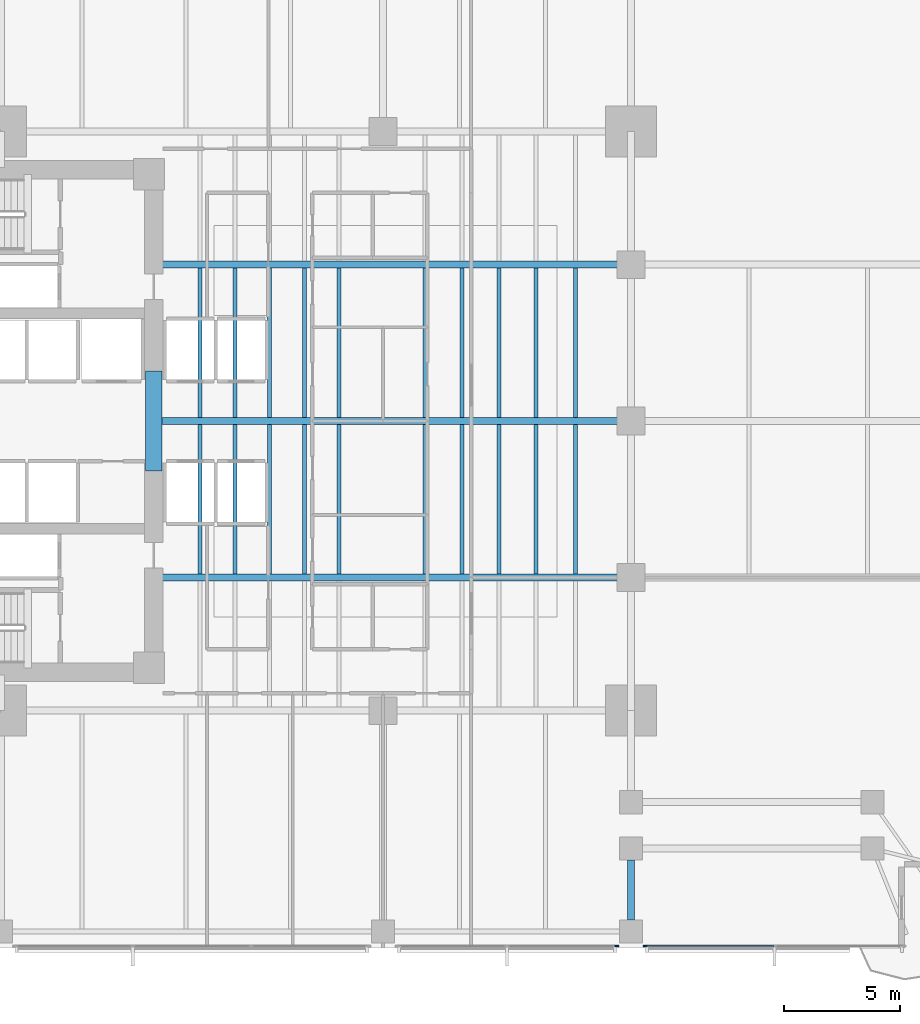
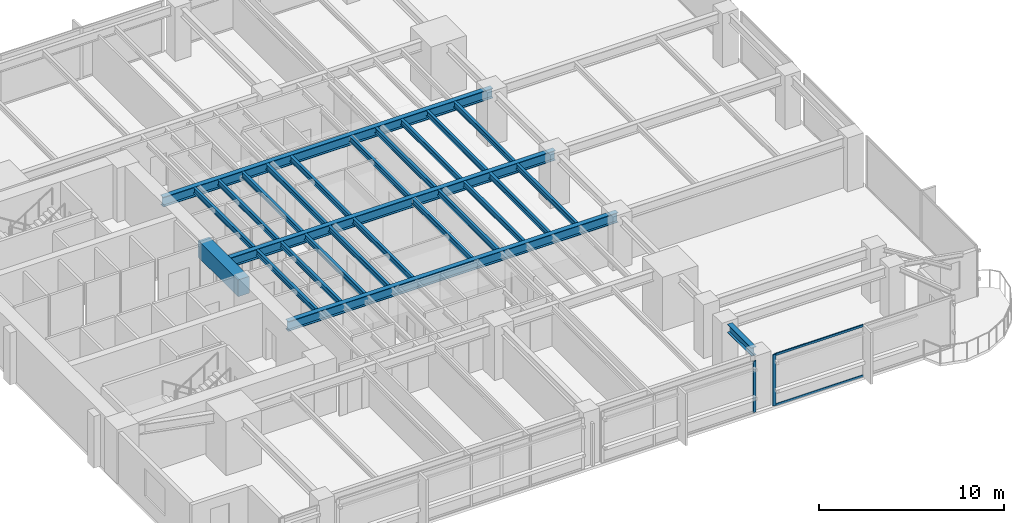
# One storey, part 3 of 15: 25 beams, 4 members, 2 elements without a shape of their own.
"""IFC4 building model written with IfcOpenShell, lengths in metres."""

from ifc_helpers import new_model, si_unit, direction, frame, origin, origin_2d, place, context, subcontext, project, spatial, rectangle, i_section, extrude, material, layer, layer_set, material_profile, profile_set, type_object, element, aggregate, save


model = new_model("IFC4")

# Units and contexts
model_context = context("Model", 3, precision=1e-05, world=origin(), true_north=direction((0.0, 1.0)))
body_context = subcontext(model_context, "Body", "Model", "MODEL_VIEW")
ifc_project = project(units=[si_unit("LENGTHUNIT", "METRE"), si_unit("AREAUNIT", "SQUARE_METRE"), si_unit("VOLUMEUNIT", "CUBIC_METRE"), si_unit("PLANEANGLEUNIT", "RADIAN"), si_unit("MASSUNIT", "GRAM", prefix="KILO")], contexts=[model_context])

# Site, building, storey
site_placement = place(None, origin())
site = spatial("IfcSite", under=ifc_project, at=site_placement, CompositionType="ELEMENT")
building_placement = place(site_placement, origin())
building = spatial("IfcBuilding", under=site, at=building_placement, Name="Kinhvarn Gate Tower", CompositionType="ELEMENT")
storey_placement = place(building_placement, frame((0.0, 0.0, 85.949951171875)))
storey = spatial("IfcBuildingStorey", under=building, at=storey_placement, Name="L22", CompositionType="ELEMENT", Elevation=85.949951171875)

# Beam
ifc_material_1 = material(Name="Concrete C70/85", Category="concrete")
ifc_material_profile_1 = material_profile(ifc_material_1, rectangle(XDim=0.699951171875, YDim=1.10009765625, at=origin_2d()), Name="RC 700x1100")
ifc_profile_set_1 = profile_set([ifc_material_profile_1], Name="Concrete C70/85")
beam_type_1 = type_object("IfcBeamType", Name="BM-CB-1100", PredefinedType="LINTEL", material=ifc_profile_set_1)
beam_1_placement = place(storey_placement, frame((17.60009765625, 23.10009765625, 2.820068359375), z_axis=(0.0, 1.0, 0.0), x_axis=(-1.0, 0.0, 0.0)))
element("IfcBeam", 1, at=beam_1_placement, inside=storey, type_object=beam_type_1, Name="Core East Portal Coupling Beam L22", PredefinedType="LINTEL", context=body_context, shape_type="SweptSolid", body=[
    extrude(rectangle(XDim=0.699951171875, YDim=1.10009765625, at=origin_2d()), origin(), (0.0, 0.0, 1.0), 4.2998046875),
])

# Curtain wall, member
ifc_material_2 = material(Name="Anodised aluminium AW-6063", Category="aluminium")
ifc_layer = layer(ifc_material_2, 0.179931640625)
ifc_layer_set = layer_set([ifc_layer], Name="Anodised aluminium AW-6063")
curtain_wall_type = type_object("IfcCurtainWallType", Name="CW-SYS-2", PredefinedType="NOTDEFINED", material=ifc_layer_set)
curtain_wall_1_placement = place(storey_placement, origin())
curtain_wall_1 = element("IfcCurtainWall", 2, at=curtain_wall_1_placement, inside=storey, type_object=curtain_wall_type, Name="Curtain Wall CW2 (L22)", PredefinedType="NOTDEFINED")
ifc_material_profile_2 = material_profile(ifc_material_2, rectangle(XDim=0.070068359375, YDim=0.179931640625, at=origin_2d()), Name="ALU 70x180")
ifc_profile_set_2 = profile_set([ifc_material_profile_2], Name="Anodised aluminium AW-6063")
member_type_1 = type_object("IfcMemberType", Name="CW-MUL-180", PredefinedType="MULLION", material=ifc_profile_set_2)
member_1_placement = place(storey_placement, frame((37.5849609375, 2.590087890625, 0.0), z_axis=(0.0, 0.0, 1.0), x_axis=(0.0, 1.0, 0.0)))
member_1 = element("IfcMember", 3, at=member_1_placement, type_object=member_type_1, Name="CW2 mullion 3", PredefinedType="MULLION", context=body_context, shape_type="SweptSolid", body=[
    extrude(rectangle(XDim=0.070068359375, YDim=0.179931640625, at=origin_2d()), origin(), (0.0, 0.0, 1.0), 3.3701171875),
])
aggregate(curtain_wall_1, [member_1])

# Curtain wall, members
curtain_wall_2_placement = place(storey_placement, origin())
curtain_wall_2 = element("IfcCurtainWall", 4, at=curtain_wall_2_placement, inside=storey, type_object=curtain_wall_type, Name="Curtain Wall CW2 (L22)", PredefinedType="NOTDEFINED")
member_2_placement = place(storey_placement, frame((38.81494140625, 2.590087890625, 0.0), z_axis=(0.0, 0.0, 1.0), x_axis=(0.0, 1.0, 0.0)))
member_2 = element("IfcMember", 5, at=member_2_placement, type_object=member_type_1, Name="CW2 mullion 1", PredefinedType="MULLION", context=body_context, shape_type="SweptSolid", body=[
    extrude(rectangle(XDim=0.070068359375, YDim=0.179931640625, at=origin_2d()), origin(), (0.0, 0.0, 1.0), 3.3701171875),
])
ifc_material_profile_3 = material_profile(ifc_material_2, rectangle(XDim=0.070068359375, YDim=0.139892578125, at=origin_2d()), Name="ALU 70x140")
ifc_profile_set_3 = profile_set([ifc_material_profile_3], Name="Anodised aluminium AW-6063")
member_type_2 = type_object("IfcMemberType", Name="CW-TRN-140", PredefinedType="USERDEFINED", material=ifc_profile_set_3)
member_3_placement = place(storey_placement, frame((38.85009765625, 2.590087890625, 0.03515625), z_axis=(1.0, 0.0, 0.0), x_axis=(0.0, 1.0, 0.0)))
member_3 = element("IfcMember", 6, at=member_3_placement, type_object=member_type_2, Name="CW2 transom 1.1", ObjectType="TRANSOM", PredefinedType="USERDEFINED", context=body_context, shape_type="SweptSolid", body=[
    extrude(rectangle(XDim=0.070068359375, YDim=0.139892578125, at=origin_2d()), origin(), (0.0, 0.0, 1.0), 5.5048828125),
])
member_4_placement = place(storey_placement, frame((38.85009765625, 2.590087890625, 3.3349609375), z_axis=(1.0, 0.0, 0.0), x_axis=(0.0, 1.0, 0.0)))
member_4 = element("IfcMember", 7, at=member_4_placement, type_object=member_type_2, Name="CW2 transom 1.2", ObjectType="TRANSOM", PredefinedType="USERDEFINED", context=body_context, shape_type="SweptSolid", body=[
    extrude(rectangle(XDim=0.070068359375, YDim=0.139892578125, at=origin_2d()), origin(), (0.0, 0.0, 1.0), 5.5048828125),
])
aggregate(curtain_wall_2, [member_2, member_3, member_4])

# Beams
ifc_material_3 = material(Name="Steel S355", Category="steel")
ifc_material_profile_4 = material_profile(ifc_material_3, i_section(OverallWidth=0.300048828125, OverallDepth=0.550048828125, WebThickness=0.014892578125, FlangeThickness=0.029052734375, at=origin_2d()), Name="HEB 550")
ifc_profile_set_4 = profile_set([ifc_material_profile_4], Name="Steel S355")
beam_type_2 = type_object("IfcBeamType", Name="STL-HEB550", PredefinedType="BEAM", material=ifc_profile_set_4)
beam_2_placement = place(storey_placement, frame((38.199951171875, 3.705078125, 3.094970703125), z_axis=(0.0, 1.0, 0.0), x_axis=(-1.0, 0.0, 0.0)))
element("IfcBeam", 8, at=beam_2_placement, inside=storey, type_object=beam_type_2, Name="Floor Beam PG-15 (L22 MCE-S-A0)", PredefinedType="BEAM", context=body_context, shape_type="SweptSolid", body=[
    extrude(i_section(OverallWidth=0.300048828125, OverallDepth=0.550048828125, WebThickness=0.014892578125, FlangeThickness=0.029052734375, at=origin_2d()), origin(), (0.0, 0.0, 1.0), 2.60986328125),
])
ifc_material_profile_5 = material_profile(ifc_material_3, i_section(OverallWidth=0.300048828125, OverallDepth=0.64990234375, WebThickness=0.01611328125, FlangeThickness=0.031005859375, at=origin_2d()), Name="HEB 650")
ifc_profile_set_5 = profile_set([ifc_material_profile_5], Name="Steel S355")
beam_type_3 = type_object("IfcBeamType", Name="STL-HEB650", PredefinedType="BEAM", material=ifc_profile_set_5)
beam_3_placement = place(storey_placement, frame((17.64990234375, 18.5, 3.045166015625), z_axis=(1.0, 0.0, 0.0), x_axis=(0.0, 1.0, 0.0)))
element("IfcBeam", 9, at=beam_3_placement, inside=storey, type_object=beam_type_3, Name="Floor Beam PG-17 (L22 EW1-Y18)", PredefinedType="BEAM", context=body_context, shape_type="SweptSolid", body=[
    extrude(i_section(OverallWidth=0.300048828125, OverallDepth=0.64990234375, WebThickness=0.01611328125, FlangeThickness=0.031005859375, at=origin_2d()), origin(), (0.0, 0.0, 1.0), 20.550048828125),
])
beam_4_placement = place(storey_placement, frame((17.949951171875, 25.25, 3.045166015625), z_axis=(1.0, 0.0, 0.0), x_axis=(0.0, 1.0, 0.0)))
element("IfcBeam", 10, at=beam_4_placement, inside=storey, type_object=beam_type_3, Name="Floor Beam PG-17 (L22 EW1-Y25)", PredefinedType="BEAM", context=body_context, shape_type="SweptSolid", body=[
    extrude(i_section(OverallWidth=0.300048828125, OverallDepth=0.64990234375, WebThickness=0.01611328125, FlangeThickness=0.031005859375, at=origin_2d()), origin(), (0.0, 0.0, 1.0), 20.25),
])
beam_5_placement = place(storey_placement, frame((17.64990234375, 32.0, 3.045166015625), z_axis=(1.0, 0.0, 0.0), x_axis=(0.0, 1.0, 0.0)))
element("IfcBeam", 11, at=beam_5_placement, inside=storey, type_object=beam_type_3, Name="Floor Beam PG-17 (L22 EW1-Y32)", PredefinedType="BEAM", context=body_context, shape_type="SweptSolid", body=[
    extrude(i_section(OverallWidth=0.300048828125, OverallDepth=0.64990234375, WebThickness=0.01611328125, FlangeThickness=0.031005859375, at=origin_2d()), origin(), (0.0, 0.0, 1.0), 20.550048828125),
])
ifc_material_profile_6 = material_profile(ifc_material_3, i_section(OverallWidth=0.169921875, OverallDepth=0.360107421875, WebThickness=0.008056640625, FlangeThickness=0.0126953125, at=origin_2d()), Name="IPE 360")
ifc_profile_set_6 = profile_set([ifc_material_profile_6], Name="Steel S355")
beam_type_4 = type_object("IfcBeamType", Name="STL-IPE360", PredefinedType="JOIST", material=ifc_profile_set_6)
for number, where, z_axis, x_axis, name in (
    (12, (19.60009765625, 18.64990234375, 3.18994140625), (0.0, 1.0, 0.0), (-1.0, 0.0, 0.0), "Floor Joist SB-04 (L22 JC-X196-1)"),
    (13, (19.60009765625, 25.39990234375, 3.18994140625), (0.0, 1.0, 0.0), (-1.0, 0.0, 0.0), "Floor Joist SB-04 (L22 JC-X196-2)"),
    (14, (21.10009765625, 18.64990234375, 3.18994140625), (0.0, 1.0, 0.0), (-1.0, 0.0, 0.0), "Floor Joist SB-04 (L22 JC-X211-1)"),
    (15, (21.10009765625, 25.39990234375, 3.18994140625), (0.0, 1.0, 0.0), (-1.0, 0.0, 0.0), "Floor Joist SB-04 (L22 JC-X211-2)"),
    (16, (22.60009765625, 18.64990234375, 3.18994140625), (0.0, 1.0, 0.0), (-1.0, 0.0, 0.0), "Floor Joist SB-04 (L22 JC-X226-1)"),
    (17, (22.60009765625, 25.39990234375, 3.18994140625), (0.0, 1.0, 0.0), (-1.0, 0.0, 0.0), "Floor Joist SB-04 (L22 JC-X226-2)"),
    (18, (24.10009765625, 18.64990234375, 3.18994140625), (0.0, 1.0, 0.0), (-1.0, 0.0, 0.0), "Floor Joist SB-04 (L22 JC-X241-1)"),
    (19, (24.10009765625, 25.39990234375, 3.18994140625), (0.0, 1.0, 0.0), (-1.0, 0.0, 0.0), "Floor Joist SB-04 (L22 JC-X241-2)"),
    (20, (25.60009765625, 18.64990234375, 3.18994140625), (0.0, 1.0, 0.0), (-1.0, 0.0, 0.0), "Floor Joist SB-04 (L22 JC-X256-1)"),
    (21, (25.60009765625, 25.39990234375, 3.18994140625), (0.0, 1.0, 0.0), (-1.0, 0.0, 0.0), "Floor Joist SB-04 (L22 JC-X256-2)"),
    (22, (29.300048828125, 18.64990234375, 3.18994140625), (0.0, 1.0, 0.0), (-1.0, 0.0, 0.0), "Floor Joist SB-04 (L22 JC-X293-1)"),
    (23, (29.300048828125, 25.39990234375, 3.18994140625), (0.0, 1.0, 0.0), (-1.0, 0.0, 0.0), "Floor Joist SB-04 (L22 JC-X293-2)"),
    (24, (30.89990234375, 18.64990234375, 3.18994140625), (0.0, 1.0, 0.0), (-1.0, 0.0, 0.0), "Floor Joist SB-04 (L22 JC-X309-1)"),
    (25, (30.89990234375, 25.39990234375, 3.18994140625), (0.0, 1.0, 0.0), (-1.0, 0.0, 0.0), "Floor Joist SB-04 (L22 JC-X309-2)"),
    (26, (32.5, 18.64990234375, 3.18994140625), (0.0, 1.0, 0.0), (-1.0, 0.0, 0.0), "Floor Joist SB-04 (L22 JC-X325-1)"),
    (27, (32.5, 25.39990234375, 3.18994140625), (0.0, 1.0, 0.0), (-1.0, 0.0, 0.0), "Floor Joist SB-04 (L22 JC-X325-2)"),
    (28, (34.10009765625, 18.64990234375, 3.18994140625), (0.0, 1.0, 0.0), (-1.0, 0.0, 0.0), "Floor Joist SB-04 (L22 JC-X341-1)"),
    (29, (34.10009765625, 25.39990234375, 3.18994140625), (0.0, 1.0, 0.0), (-1.0, 0.0, 0.0), "Floor Joist SB-04 (L22 JC-X341-2)"),
    (30, (35.800048828125, 18.64990234375, 3.18994140625), (0.0, 1.0, 0.0), (-1.0, 0.0, 0.0), "Floor Joist SB-04 (L22 JC-X358-1)"),
    (31, (35.800048828125, 25.39990234375, 3.18994140625), (0.0, 1.0, 0.0), (-1.0, 0.0, 0.0), "Floor Joist SB-04 (L22 JC-X358-2)"),
):
    element("IfcBeam", number, at=place(storey_placement, frame(where, z_axis=z_axis, x_axis=x_axis)), inside=storey, type_object=beam_type_4, Name=name, PredefinedType="JOIST", context=body_context, shape_type="SweptSolid", body=[
        extrude(i_section(OverallWidth=0.169921875, OverallDepth=0.360107421875, WebThickness=0.008056640625, FlangeThickness=0.0126953125, at=origin_2d()), origin(), (0.0, 0.0, 1.0), 6.4501953125),
    ])

save(model, "model.ifc")
